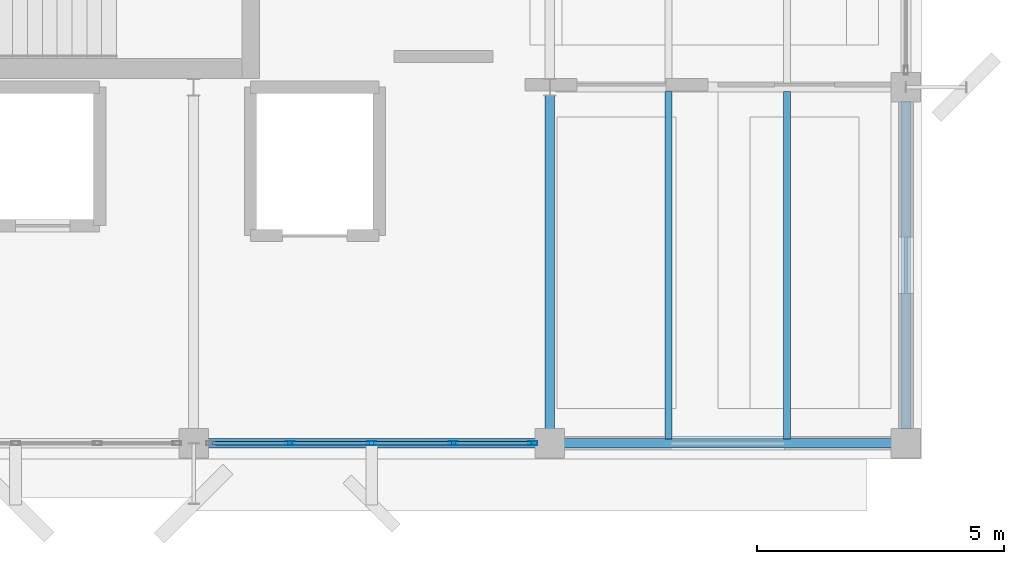
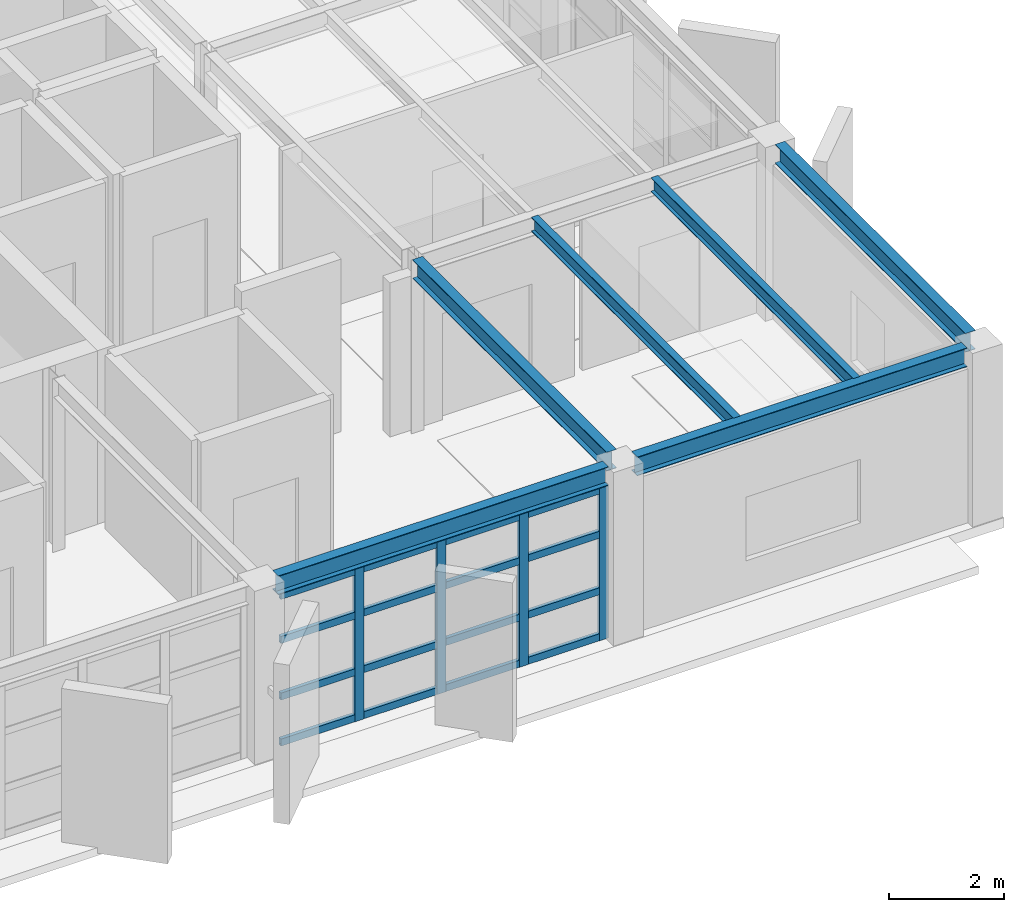
# One storey, part 5 of 15: 20 members, 6 beams, 1 element without a shape of its own.
"""IFC4 building model written with IfcOpenShell, lengths in metres."""

from ifc_helpers import new_model, si_unit, direction, frame, origin, origin_2d, place, context, subcontext, project, spatial, hollow_rectangle, i_section, extrude, material, layer, layer_set, material_profile, profile_set, type_object, element, aggregate, save


model = new_model("IFC4")

# Units and contexts
model_context = context("Model", 3, precision=1e-05, world=origin(), true_north=direction((0.0, 1.0)))
body_context = subcontext(model_context, "Body", "Model", "MODEL_VIEW")
ifc_project = project(units=[si_unit("LENGTHUNIT", "METRE"), si_unit("AREAUNIT", "SQUARE_METRE"), si_unit("VOLUMEUNIT", "CUBIC_METRE"), si_unit("PLANEANGLEUNIT", "RADIAN"), si_unit("MASSUNIT", "GRAM", prefix="KILO")], contexts=[model_context])

# Site, building, storey
site_placement = place(None, origin())
site = spatial("IfcSite", under=ifc_project, at=site_placement, CompositionType="ELEMENT")
building_placement = place(site_placement, origin())
building = spatial("IfcBuilding", under=site, at=building_placement, Name="Kandorven Conservatory and Botanical Research Centre", CompositionType="ELEMENT")
storey_placement = place(building_placement, frame((0.0, 0.0, 48.300048828125)))
storey = spatial("IfcBuildingStorey", under=building, at=storey_placement, Name="L12", CompositionType="ELEMENT", Elevation=48.300048828125)

# Beams
ifc_material_1 = material(Name="Steel S355 (IS 2062 E350)", Category="steel")
ifc_material_profile_1 = material_profile(ifc_material_1, i_section(OverallWidth=0.199951171875, OverallDepth=0.39990234375, WebThickness=0.008544921875, FlangeThickness=0.012939453125, at=origin_2d()))
ifc_profile_set_1 = profile_set([ifc_material_profile_1], Name="Steel S355 (IS 2062 E350)")
beam_type_1 = type_object("IfcBeamType", Name="Beam_FG-03", PredefinedType="USERDEFINED", material=ifc_profile_set_1)
for number, where, z_axis, x_axis, name in (
    (1, (20.68994140625, 6.0, 3.47998046875), (1.0, 0.0, 0.0), (0.0, 1.0, 0.0), "Primary girder FG-03 TWR L12"),
    (2, (27.889892578125, 6.0, 3.47998046875), (1.0, 0.0, 0.0), (0.0, 1.0, 0.0), "Primary girder FG-03 TWR L12"),
):
    element("IfcBeam", number, at=place(storey_placement, frame(where, z_axis=z_axis, x_axis=x_axis)), inside=storey, type_object=beam_type_1, Name=name, ObjectType="GIRDER", PredefinedType="USERDEFINED", context=body_context, shape_type="SweptSolid", body=[
        extrude(i_section(OverallWidth=0.199951171875, OverallDepth=0.39990234375, WebThickness=0.008544921875, FlangeThickness=0.012939453125, at=origin_2d()), origin(), (0.0, 0.0, 1.0), 6.6201171875),
    ])
beam_1_placement = place(storey_placement, frame((27.60009765625, 6.2900390625, 3.47998046875), z_axis=(0.0, 1.0, 0.0), x_axis=(-1.0, 0.0, 0.0)))
element("IfcBeam", 3, at=beam_1_placement, inside=storey, type_object=beam_type_1, Name="Primary girder FG-03 TWR L12", ObjectType="GIRDER", PredefinedType="USERDEFINED", context=body_context, shape_type="SweptSolid", body=[
    extrude(i_section(OverallWidth=0.199951171875, OverallDepth=0.39990234375, WebThickness=0.008544921875, FlangeThickness=0.012939453125, at=origin_2d()), origin(), (0.0, 0.0, 1.0), 6.744873046875),
])
beam_2_placement = place(storey_placement, frame((34.800048828125, 6.2900390625, 3.47998046875), z_axis=(0.0, 1.0, 0.0), x_axis=(-1.0, 0.0, 0.0)))
element("IfcBeam", 4, at=beam_2_placement, inside=storey, type_object=beam_type_1, Name="Primary girder FG-03 TWR L12", ObjectType="GIRDER", PredefinedType="USERDEFINED", context=body_context, shape_type="SweptSolid", body=[
    extrude(i_section(OverallWidth=0.199951171875, OverallDepth=0.39990234375, WebThickness=0.008544921875, FlangeThickness=0.012939453125, at=origin_2d()), origin(), (0.0, 0.0, 1.0), 6.619873046875),
])
ifc_material_2 = material(Name="Steel S355 (IS 2062 E350)", Category="steel")
ifc_material_profile_2 = material_profile(ifc_material_2, i_section(OverallWidth=0.139892578125, OverallDepth=0.300048828125, WebThickness=0.0078125, FlangeThickness=0.01318359375, at=origin_2d()))
ifc_profile_set_2 = profile_set([ifc_material_profile_2], Name="Steel S355 (IS 2062 E350)")
beam_type_2 = type_object("IfcBeamType", Name="Beam_SB-07", PredefinedType="BEAM", material=ifc_profile_set_2)
for number, where, z_axis, x_axis, name in (
    (5, (30.0, 6.0849609375, 3.530029296875), (0.0, 1.0, 0.0), (-1.0, 0.0, 0.0), "Composite secondary beam SB-07 TWR L12"),
    (6, (32.39990234375, 6.0849609375, 3.530029296875), (0.0, 1.0, 0.0), (-1.0, 0.0, 0.0), "Composite secondary beam SB-07 TWR L12"),
):
    element("IfcBeam", number, at=place(storey_placement, frame(where, z_axis=z_axis, x_axis=x_axis)), inside=storey, type_object=beam_type_2, Name=name, PredefinedType="BEAM", context=body_context, shape_type="SweptSolid", body=[
        extrude(i_section(OverallWidth=0.139892578125, OverallDepth=0.300048828125, WebThickness=0.0078125, FlangeThickness=0.01318359375, at=origin_2d()), origin(), (0.0, 0.0, 1.0), 7.030029296875),
    ])

# Curtain wall, members
ifc_material_3 = material(Name="Bronze anodised thermally broken aluminium", Category="aluminium")
ifc_layer = layer(ifc_material_3, 0.179931640625)
ifc_layer_set = layer_set([ifc_layer], Name="Bronze anodised thermally broken aluminium")
curtain_wall_type = type_object("IfcCurtainWallType", Name="CW_Unitised", PredefinedType="USERDEFINED", material=ifc_layer_set)
curtain_wall_placement = place(storey_placement, origin())
curtain_wall = element("IfcCurtainWall", 7, at=curtain_wall_placement, inside=storey, type_object=curtain_wall_type, Name="Tower laboratory curtain wall CW-TWR-S-L12-3", ObjectType="UNITISED GLAZING", PredefinedType="USERDEFINED")
ifc_material_4 = material(Name="Bronze anodised thermally broken aluminium", Category="aluminium")
ifc_material_profile_3 = material_profile(ifc_material_4, hollow_rectangle(XDim=0.080078125, YDim=0.179931640625, WallThickness=0.006103515625, at=origin_2d()))
ifc_profile_set_3 = profile_set([ifc_material_profile_3], Name="Bronze anodised thermally broken aluminium")
member_type_1 = type_object("IfcMemberType", Name="CW_Mullion", PredefinedType="MULLION", material=ifc_profile_set_3)
member_1_placement = place(storey_placement, frame((22.35009765625, 6.0, 0.0), z_axis=(0.0, 0.0, 1.0), x_axis=(0.0, 1.0, 0.0)))
member_1 = element("IfcMember", 8, at=member_1_placement, type_object=member_type_1, Name="CW-01 mullion 2", PredefinedType="MULLION", context=body_context, shape_type="SweptSolid", body=[
    extrude(hollow_rectangle(XDim=0.080078125, YDim=0.179931640625, WallThickness=0.006103515625, at=origin_2d()), origin(), (0.0, 0.0, 1.0), 3.260009765625),
])
member_2_placement = place(storey_placement, frame((24.0, 6.0, 0.0), z_axis=(0.0, 0.0, 1.0), x_axis=(0.0, 1.0, 0.0)))
member_2 = element("IfcMember", 9, at=member_2_placement, type_object=member_type_1, Name="CW-01 mullion 3", PredefinedType="MULLION", context=body_context, shape_type="SweptSolid", body=[
    extrude(hollow_rectangle(XDim=0.080078125, YDim=0.179931640625, WallThickness=0.006103515625, at=origin_2d()), origin(), (0.0, 0.0, 1.0), 3.260009765625),
])
member_3_placement = place(storey_placement, frame((25.64990234375, 6.0, 0.0), z_axis=(0.0, 0.0, 1.0), x_axis=(0.0, 1.0, 0.0)))
member_3 = element("IfcMember", 10, at=member_3_placement, type_object=member_type_1, Name="CW-01 mullion 4", PredefinedType="MULLION", context=body_context, shape_type="SweptSolid", body=[
    extrude(hollow_rectangle(XDim=0.080078125, YDim=0.179931640625, WallThickness=0.006103515625, at=origin_2d()), origin(), (0.0, 0.0, 1.0), 3.260009765625),
])
member_4_placement = place(storey_placement, frame((27.260009765625, 6.0, 0.0), z_axis=(0.0, 0.0, 1.0), x_axis=(0.0, 1.0, 0.0)))
member_4 = element("IfcMember", 11, at=member_4_placement, type_object=member_type_1, Name="CW-01 mullion 5", PredefinedType="MULLION", context=body_context, shape_type="SweptSolid", body=[
    extrude(hollow_rectangle(XDim=0.080078125, YDim=0.179931640625, WallThickness=0.006103515625, at=origin_2d()), origin(), (0.0, 0.0, 1.0), 3.260009765625),
])
ifc_material_5 = material(Name="Bronze anodised thermally broken aluminium", Category="aluminium")
ifc_material_profile_4 = material_profile(ifc_material_5, hollow_rectangle(XDim=0.074951171875, YDim=0.14990234375, WallThickness=0.006103515625, at=origin_2d()))
ifc_profile_set_4 = profile_set([ifc_material_profile_4], Name="Bronze anodised thermally broken aluminium")
member_type_2 = type_object("IfcMemberType", Name="CW_Transom", PredefinedType="USERDEFINED", material=ifc_profile_set_4)
member_5_placement = place(storey_placement, frame((20.780029296875, 6.0, 0.074951171875), z_axis=(1.0, 0.0, 0.0), x_axis=(0.0, 1.0, 0.0)))
member_5 = element("IfcMember", 12, at=member_5_placement, type_object=member_type_2, Name="CW-01 transom 1.1", ObjectType="TRANSOM", PredefinedType="USERDEFINED", context=body_context, shape_type="SweptSolid", body=[
    extrude(hollow_rectangle(XDim=0.074951171875, YDim=0.14990234375, WallThickness=0.006103515625, at=origin_2d()), origin(), (0.0, 0.0, 1.0), 1.530029296875),
])
member_6_placement = place(storey_placement, frame((20.780029296875, 6.0, 1.050048828125), z_axis=(1.0, 0.0, 0.0), x_axis=(0.0, 1.0, 0.0)))
member_6 = element("IfcMember", 13, at=member_6_placement, type_object=member_type_2, Name="CW-01 transom 1.2", ObjectType="TRANSOM", PredefinedType="USERDEFINED", context=body_context, shape_type="SweptSolid", body=[
    extrude(hollow_rectangle(XDim=0.074951171875, YDim=0.14990234375, WallThickness=0.006103515625, at=origin_2d()), origin(), (0.0, 0.0, 1.0), 1.530029296875),
])
member_7_placement = place(storey_placement, frame((20.780029296875, 6.0, 2.25), z_axis=(1.0, 0.0, 0.0), x_axis=(0.0, 1.0, 0.0)))
member_7 = element("IfcMember", 14, at=member_7_placement, type_object=member_type_2, Name="CW-01 transom 1.3", ObjectType="TRANSOM", PredefinedType="USERDEFINED", context=body_context, shape_type="SweptSolid", body=[
    extrude(hollow_rectangle(XDim=0.074951171875, YDim=0.14990234375, WallThickness=0.006103515625, at=origin_2d()), origin(), (0.0, 0.0, 1.0), 1.530029296875),
])
member_8_placement = place(storey_placement, frame((20.780029296875, 6.0, 3.18505859375), z_axis=(1.0, 0.0, 0.0), x_axis=(0.0, 1.0, 0.0)))
member_8 = element("IfcMember", 15, at=member_8_placement, type_object=member_type_2, Name="CW-01 transom 1.4", ObjectType="TRANSOM", PredefinedType="USERDEFINED", context=body_context, shape_type="SweptSolid", body=[
    extrude(hollow_rectangle(XDim=0.074951171875, YDim=0.14990234375, WallThickness=0.006103515625, at=origin_2d()), origin(), (0.0, 0.0, 1.0), 1.530029296875),
])
member_9_placement = place(storey_placement, frame((22.389892578125, 6.0, 0.074951171875), z_axis=(1.0, 0.0, 0.0), x_axis=(0.0, 1.0, 0.0)))
member_9 = element("IfcMember", 16, at=member_9_placement, type_object=member_type_2, Name="CW-01 transom 2.1", ObjectType="TRANSOM", PredefinedType="USERDEFINED", context=body_context, shape_type="SweptSolid", body=[
    extrude(hollow_rectangle(XDim=0.074951171875, YDim=0.14990234375, WallThickness=0.006103515625, at=origin_2d()), origin(), (0.0, 0.0, 1.0), 1.570068359375),
])
member_10_placement = place(storey_placement, frame((22.389892578125, 6.0, 1.050048828125), z_axis=(1.0, 0.0, 0.0), x_axis=(0.0, 1.0, 0.0)))
member_10 = element("IfcMember", 17, at=member_10_placement, type_object=member_type_2, Name="CW-01 transom 2.2", ObjectType="TRANSOM", PredefinedType="USERDEFINED", context=body_context, shape_type="SweptSolid", body=[
    extrude(hollow_rectangle(XDim=0.074951171875, YDim=0.14990234375, WallThickness=0.006103515625, at=origin_2d()), origin(), (0.0, 0.0, 1.0), 1.570068359375),
])
member_11_placement = place(storey_placement, frame((22.389892578125, 6.0, 2.25), z_axis=(1.0, 0.0, 0.0), x_axis=(0.0, 1.0, 0.0)))
member_11 = element("IfcMember", 18, at=member_11_placement, type_object=member_type_2, Name="CW-01 transom 2.3", ObjectType="TRANSOM", PredefinedType="USERDEFINED", context=body_context, shape_type="SweptSolid", body=[
    extrude(hollow_rectangle(XDim=0.074951171875, YDim=0.14990234375, WallThickness=0.006103515625, at=origin_2d()), origin(), (0.0, 0.0, 1.0), 1.570068359375),
])
member_12_placement = place(storey_placement, frame((22.389892578125, 6.0, 3.18505859375), z_axis=(1.0, 0.0, 0.0), x_axis=(0.0, 1.0, 0.0)))
member_12 = element("IfcMember", 19, at=member_12_placement, type_object=member_type_2, Name="CW-01 transom 2.4", ObjectType="TRANSOM", PredefinedType="USERDEFINED", context=body_context, shape_type="SweptSolid", body=[
    extrude(hollow_rectangle(XDim=0.074951171875, YDim=0.14990234375, WallThickness=0.006103515625, at=origin_2d()), origin(), (0.0, 0.0, 1.0), 1.570068359375),
])
member_13_placement = place(storey_placement, frame((24.0400390625, 6.0, 0.074951171875), z_axis=(1.0, 0.0, 0.0), x_axis=(0.0, 1.0, 0.0)))
member_13 = element("IfcMember", 20, at=member_13_placement, type_object=member_type_2, Name="CW-01 transom 3.1", ObjectType="TRANSOM", PredefinedType="USERDEFINED", context=body_context, shape_type="SweptSolid", body=[
    extrude(hollow_rectangle(XDim=0.074951171875, YDim=0.14990234375, WallThickness=0.006103515625, at=origin_2d()), origin(), (0.0, 0.0, 1.0), 1.570068359375),
])
member_14_placement = place(storey_placement, frame((24.0400390625, 6.0, 1.050048828125), z_axis=(1.0, 0.0, 0.0), x_axis=(0.0, 1.0, 0.0)))
member_14 = element("IfcMember", 21, at=member_14_placement, type_object=member_type_2, Name="CW-01 transom 3.2", ObjectType="TRANSOM", PredefinedType="USERDEFINED", context=body_context, shape_type="SweptSolid", body=[
    extrude(hollow_rectangle(XDim=0.074951171875, YDim=0.14990234375, WallThickness=0.006103515625, at=origin_2d()), origin(), (0.0, 0.0, 1.0), 1.570068359375),
])
member_15_placement = place(storey_placement, frame((24.0400390625, 6.0, 2.25), z_axis=(1.0, 0.0, 0.0), x_axis=(0.0, 1.0, 0.0)))
member_15 = element("IfcMember", 22, at=member_15_placement, type_object=member_type_2, Name="CW-01 transom 3.3", ObjectType="TRANSOM", PredefinedType="USERDEFINED", context=body_context, shape_type="SweptSolid", body=[
    extrude(hollow_rectangle(XDim=0.074951171875, YDim=0.14990234375, WallThickness=0.006103515625, at=origin_2d()), origin(), (0.0, 0.0, 1.0), 1.570068359375),
])
member_16_placement = place(storey_placement, frame((24.0400390625, 6.0, 3.18505859375), z_axis=(1.0, 0.0, 0.0), x_axis=(0.0, 1.0, 0.0)))
member_16 = element("IfcMember", 23, at=member_16_placement, type_object=member_type_2, Name="CW-01 transom 3.4", ObjectType="TRANSOM", PredefinedType="USERDEFINED", context=body_context, shape_type="SweptSolid", body=[
    extrude(hollow_rectangle(XDim=0.074951171875, YDim=0.14990234375, WallThickness=0.006103515625, at=origin_2d()), origin(), (0.0, 0.0, 1.0), 1.570068359375),
])
member_17_placement = place(storey_placement, frame((25.68994140625, 6.0, 0.074951171875), z_axis=(1.0, 0.0, 0.0), x_axis=(0.0, 1.0, 0.0)))
member_17 = element("IfcMember", 24, at=member_17_placement, type_object=member_type_2, Name="CW-01 transom 4.1", ObjectType="TRANSOM", PredefinedType="USERDEFINED", context=body_context, shape_type="SweptSolid", body=[
    extrude(hollow_rectangle(XDim=0.074951171875, YDim=0.14990234375, WallThickness=0.006103515625, at=origin_2d()), origin(), (0.0, 0.0, 1.0), 1.530029296875),
])
member_18_placement = place(storey_placement, frame((25.68994140625, 6.0, 1.050048828125), z_axis=(1.0, 0.0, 0.0), x_axis=(0.0, 1.0, 0.0)))
member_18 = element("IfcMember", 25, at=member_18_placement, type_object=member_type_2, Name="CW-01 transom 4.2", ObjectType="TRANSOM", PredefinedType="USERDEFINED", context=body_context, shape_type="SweptSolid", body=[
    extrude(hollow_rectangle(XDim=0.074951171875, YDim=0.14990234375, WallThickness=0.006103515625, at=origin_2d()), origin(), (0.0, 0.0, 1.0), 1.530029296875),
])
member_19_placement = place(storey_placement, frame((25.68994140625, 6.0, 2.25), z_axis=(1.0, 0.0, 0.0), x_axis=(0.0, 1.0, 0.0)))
member_19 = element("IfcMember", 26, at=member_19_placement, type_object=member_type_2, Name="CW-01 transom 4.3", ObjectType="TRANSOM", PredefinedType="USERDEFINED", context=body_context, shape_type="SweptSolid", body=[
    extrude(hollow_rectangle(XDim=0.074951171875, YDim=0.14990234375, WallThickness=0.006103515625, at=origin_2d()), origin(), (0.0, 0.0, 1.0), 1.530029296875),
])
member_20_placement = place(storey_placement, frame((25.68994140625, 6.0, 3.18505859375), z_axis=(1.0, 0.0, 0.0), x_axis=(0.0, 1.0, 0.0)))
member_20 = element("IfcMember", 27, at=member_20_placement, type_object=member_type_2, Name="CW-01 transom 4.4", ObjectType="TRANSOM", PredefinedType="USERDEFINED", context=body_context, shape_type="SweptSolid", body=[
    extrude(hollow_rectangle(XDim=0.074951171875, YDim=0.14990234375, WallThickness=0.006103515625, at=origin_2d()), origin(), (0.0, 0.0, 1.0), 1.530029296875),
])
aggregate(curtain_wall, [member_1, member_2, member_3, member_4, member_5, member_6, member_7, member_8, member_9, member_10, member_11, member_12, member_13, member_14, member_15, member_16, member_17, member_18, member_19, member_20])

save(model, "model.ifc")
